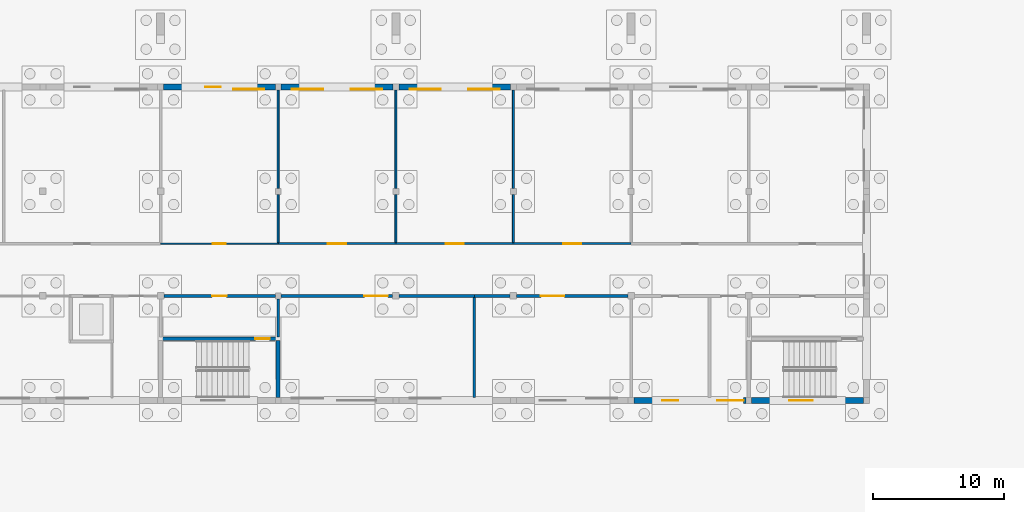
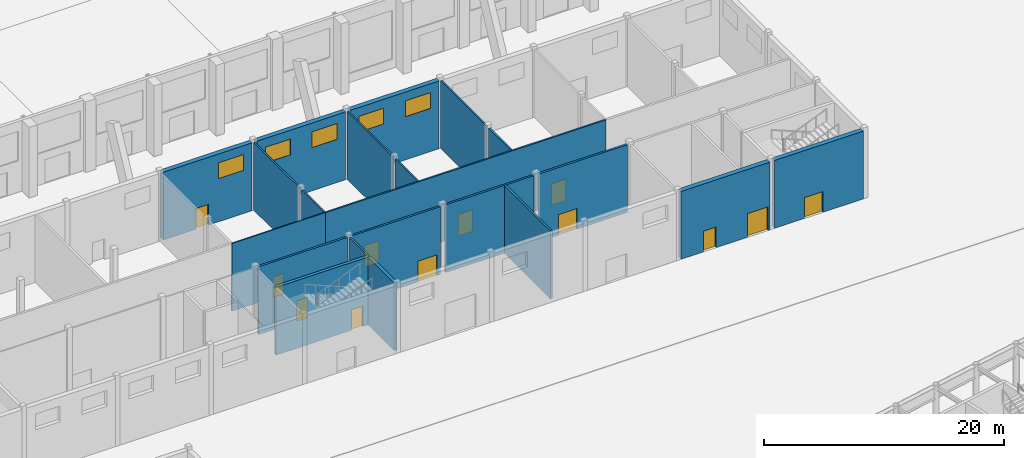
# One storey, part 170 of 239: 22 walls, 12 doors, 5 windows, 17 openings.
"""IFC4 building model written with IfcOpenShell, lengths in metres."""

import ifcopenshell
import ifcopenshell.guid

model = None  # the IFC model being written
_history = None  # IfcOwnerHistory: only IFC2X3 demands one
_inside = {}  # id of a spatial element -> (the spatial element, [elements in it])
_under = {}  # id of a project, library or spatial element -> (it, [spatial elements below it])
_declared = {}  # id of a project -> (the project, [libraries it declares])
_typed = {}  # id of a type object -> (the type object, [elements of that type])
_made_of = {}  # id of a material, layer set ... -> (it, [elements and type objects made of it])


def new_model(schema):
    """Start an empty IFC model of exactly this schema.

    Asked for "IFC4X3", IfcOpenShell would pick the latest addendum, in which some entities
    have other attributes; the version numbers below select the first issue.
    IFC2X3 requires an IfcOwnerHistory on every rooted entity: one is made here for all.
    """
    global model, _history
    if schema == "IFC4X3":
        model = ifcopenshell.file(schema_version=(4, 3, 0, 0))
    else:
        model = ifcopenshell.file(schema=schema)
    _inside.clear()
    _under.clear()
    _declared.clear()
    _typed.clear()
    _made_of.clear()
    _history = None
    if model.schema == "IFC2X3":
        org = make("IfcOrganization", Name="unknown")
        user = make(
            "IfcPersonAndOrganization",
            ThePerson=make("IfcPerson", FamilyName="unknown"),
            TheOrganization=org,
        )
        app = make(
            "IfcApplication",
            ApplicationDeveloper=org,
            Version="unknown",
            ApplicationFullName="unknown",
            ApplicationIdentifier="unknown",
        )
        _history = make(
            "IfcOwnerHistory",
            OwningUser=user,
            OwningApplication=app,
            ChangeAction="ADDED",
            CreationDate=0,
        )
    return model


def make(cls, **values):
    """One entity of the class cls with the attributes given. An attribute that is None is left unset."""
    return model.create_entity(
        cls, **{name: value for name, value in values.items() if value is not None}
    )


def rooted(cls, **values):
    """An entity with a GlobalId (a new one), such as an element, a storey or a relation."""
    return make(cls, GlobalId=ifcopenshell.guid.new(), OwnerHistory=_history, **values)


def si_unit(unit_type, name, prefix=None):
    """IfcSIUnit, for example si_unit("LENGTHUNIT", "METRE", prefix="MILLI")."""
    return make("IfcSIUnit", UnitType=unit_type, Prefix=prefix, Name=name)


def assignment(units):
    """IfcUnitAssignment: the units of a project."""
    return None if units is None else make("IfcUnitAssignment", Units=units)


def point(xyz):
    """IfcCartesianPoint."""
    return None if xyz is None else make("IfcCartesianPoint", Coordinates=xyz)


def direction(xyz):
    """IfcDirection."""
    return None if xyz is None else make("IfcDirection", DirectionRatios=xyz)


def frame(location, z_axis=None, x_axis=None):
    """IfcAxis2Placement3D, a coordinate frame: its origin and axes. An axis left out is left unset."""
    return make(
        "IfcAxis2Placement3D",
        Location=point(location),
        Axis=direction(z_axis),
        RefDirection=direction(x_axis),
    )


def frame_2d(location, x_axis=None):
    """IfcAxis2Placement2D, a coordinate frame in the plane: its origin and x axis."""
    return make(
        "IfcAxis2Placement2D", Location=point(location), RefDirection=direction(x_axis)
    )


def origin():
    """The frame at (0, 0, 0) with its axes left unset."""
    return frame((0.0, 0.0, 0.0))


def place(relative_to, where):
    """IfcLocalPlacement: puts the frame where relative to a parent placement (None: the world)."""
    return make(
        "IfcLocalPlacement", PlacementRelTo=relative_to, RelativePlacement=where
    )


def context(
    kind, dimensions, precision=None, world=None, true_north=None, identifier=None
):
    """IfcGeometricRepresentationContext, for example the 3D "Model" context."""
    return make(
        "IfcGeometricRepresentationContext",
        ContextIdentifier=identifier,
        ContextType=kind,
        CoordinateSpaceDimension=dimensions,
        Precision=precision,
        WorldCoordinateSystem=world,
        TrueNorth=true_north,
    )


def subcontext(parent, identifier, kind, view, scale=None):
    """IfcGeometricRepresentationSubContext, for example "Body" below "Model"."""
    return make(
        "IfcGeometricRepresentationSubContext",
        ContextIdentifier=identifier,
        ContextType=kind,
        ParentContext=parent,
        TargetScale=scale,
        TargetView=view,
    )


def project(units=None, contexts=None):
    """IfcProject with its units and contexts."""
    return rooted(
        "IfcProject",
        Name="project",
        RepresentationContexts=contexts,
        UnitsInContext=assignment(units),
    )


def spatial(cls, under=None, at=None, **own):
    """A site, building, storey or space (cls), placed at a placement, below another one or the project."""
    s = rooted(cls, ObjectPlacement=at, **own)
    if under is not None:
        _under.setdefault(under.id(), (under, []))[1].append(s)
    return s


def profile(cls, at=None, kind="AREA", **sizes):
    """A parametric profile (cls). Its sizes go by their IFC names, for example OverallWidth=200.0."""
    return make(cls, ProfileType=kind, Position=at, **sizes)


def rectangle(**sizes):
    """IfcRectangleProfileDef."""
    return profile("IfcRectangleProfileDef", **sizes)


def extrude(swept, where, along, depth):
    """IfcExtrudedAreaSolid: the profile swept, set in the frame where, extruded along a direction by depth."""
    return make(
        "IfcExtrudedAreaSolid",
        SweptArea=swept,
        Position=where,
        ExtrudedDirection=direction(along),
        Depth=depth,
    )


def shape(context_of_items, identifier, shape_type, items):
    """IfcShapeRepresentation: the items that make up one representation, for example the "Body"."""
    return make(
        "IfcShapeRepresentation",
        ContextOfItems=context_of_items,
        RepresentationIdentifier=identifier,
        RepresentationType=shape_type,
        Items=items,
    )


def material(Name=None, Category=None):
    """IfcMaterial."""
    return make("IfcMaterial", Name=Name, Category=Category)


def layer(
    of_material, thickness, ventilated=None, Name=None, Category=None, Priority=None
):
    """IfcMaterialLayer: one layer of a wall or slab, of a material (None: an air gap)."""
    return make(
        "IfcMaterialLayer",
        Material=of_material,
        LayerThickness=thickness,
        IsVentilated=ventilated,
        Name=Name,
        Category=Category,
        Priority=Priority,
    )


def layer_set(layers, Name=None):
    """IfcMaterialLayerSet."""
    return make("IfcMaterialLayerSet", MaterialLayers=layers, LayerSetName=Name)


def made_of(thing, what):
    """Note that an element or type object is made of a material, layer set ...; save() writes the relation."""
    if what is not None:
        _made_of.setdefault(what.id(), (what, []))[1].append(thing)
    return thing


def type_object(cls, material=None, **own):
    """A type object (cls), such as IfcWallType, which elements share."""
    return made_of(rooted(cls, **own), material)


def element(
    cls,
    number,
    at=None,
    inside=None,
    cuts=None,
    type_object=None,
    material=None,
    context=None,
    identifier="Body",
    shape_type=None,
    held_by="IfcProductDefinitionShape",
    body=None,
    shapes=None,
    **own,
):
    """One element of the class cls, such as IfcWall. Its Tag is "e" and its number.

    at: its placement. inside: the storey or other place that contains it. cuts: it is an
    opening in that element (IfcRelVoidsElement). A single representation is given by context,
    identifier, shape_type and body (its items); several are given by shapes. held_by: the class
    of the entity that holds the representations. save() writes the other relations.
    """
    e = rooted(cls, Tag="e%d" % number, ObjectPlacement=at, **own)
    if body is not None:
        shapes = [shape(context, identifier, shape_type, body)]
    if shapes is not None:
        e.Representation = make(held_by, Representations=shapes)
    if inside is not None:
        _inside.setdefault(inside.id(), (inside, []))[1].append(e)
    if cuts is not None:
        rooted(
            "IfcRelVoidsElement", RelatingBuildingElement=cuts, RelatedOpeningElement=e
        )
    if type_object is not None:
        _typed.setdefault(type_object.id(), (type_object, []))[1].append(e)
    return made_of(e, material)


def fill(opening, filler):
    """IfcRelFillsElement: the door or window that sits in an opening."""
    return rooted(
        "IfcRelFillsElement",
        RelatingOpeningElement=opening,
        RelatedBuildingElement=filler,
    )


def aggregate(whole, parts):
    """IfcRelAggregates: a whole, such as a stair, and the parts it consists of."""
    return rooted("IfcRelAggregates", RelatingObject=whole, RelatedObjects=parts)


def save(model, path):
    """Write the relations noted so far, then the file.

    IfcRelAggregates (storeys below a building ...), IfcRelContainedInSpatialStructure (elements
    in a storey), IfcRelDefinesByType, IfcRelAssociatesMaterial and IfcRelDeclares: one each for
    every whole, place, type object, material and project.
    """
    for whole, parts in _under.values():
        aggregate(whole, parts)
    for where, things in _inside.values():
        rooted(
            "IfcRelContainedInSpatialStructure",
            RelatedElements=things,
            RelatingStructure=where,
        )
    for kind, things in _typed.values():
        rooted("IfcRelDefinesByType", RelatedObjects=things, RelatingType=kind)
    for what, things in _made_of.values():
        rooted("IfcRelAssociatesMaterial", RelatedObjects=things, RelatingMaterial=what)
    for by, libraries in _declared.values():
        rooted("IfcRelDeclares", RelatingContext=by, RelatedDefinitions=libraries)
    model.write(path)


model = new_model("IFC4")

# Units and contexts
model_context = context("Model", 3, precision=1e-05, world=origin(), true_north=direction((0.0, 1.0)))
body_context = subcontext(model_context, "Body", "Model", "MODEL_VIEW")
ifc_project = project(units=[si_unit("LENGTHUNIT", "METRE"), si_unit("AREAUNIT", "SQUARE_METRE"), si_unit("VOLUMEUNIT", "CUBIC_METRE"), si_unit("PLANEANGLEUNIT", "RADIAN"), si_unit("MASSUNIT", "GRAM", prefix="KILO")], contexts=[model_context])

# Site, building, storey
site_placement = place(None, origin())
site = spatial("IfcSite", under=ifc_project, at=site_placement, CompositionType="ELEMENT")
building_placement = place(site_placement, origin())
building = spatial("IfcBuilding", under=site, at=building_placement, Name="Okhra Congress Centre", CompositionType="ELEMENT")
storey_placement = place(building_placement, origin())
storey = spatial("IfcBuildingStorey", under=building, at=storey_placement, Name="L00", CompositionType="ELEMENT", Elevation=0.0)

# Wall, openings, doors
ifc_material_1 = material(Name="Insulated PIR sandwich panel with stainless steel skins", Category="steel")
ifc_layer_1 = layer(ifc_material_1, 0.14990234375)
ifc_layer_set_1 = layer_set([ifc_layer_1], Name="Insulated cold store panel wall 150 EI 45")
wall_type_1 = type_object("IfcWallType", Name="Insulated cold store panel wall 150 EI 45", PredefinedType="PARTITIONING", material=ifc_layer_set_1)
wall_1_placement = place(storey_placement, frame((73.0, 108.0, 0.0), z_axis=(0.0, 0.0, 1.0), x_axis=(1.0, 0.0, 0.0)))
wall_1 = element("IfcWall", 1, at=wall_1_placement, inside=storey, type_object=wall_type_1, Name="SV.WALL.L00.30", PredefinedType="PARTITIONING", context=body_context, shape_type="SweptSolid", body=[
    extrude(rectangle(XDim=27.0, YDim=0.14990234375, at=frame_2d((13.5, 0.0))), origin(), (0.0, 0.0, 1.0), 6.89990234375),
])
opening_1_placement = place(wall_1_placement, frame((3.800048828125, 0.0, 0.0)))
opening_1 = element("IfcOpeningElement", 2, at=opening_1_placement, cuts=wall_1, Name="Opening L00-153", PredefinedType="OPENING", context=body_context, shape_type="SweptSolid", body=[
    extrude(rectangle(XDim=1.39990234375, YDim=2.199951171875, at=frame_2d((0.699951171875, 1.10009765625))), frame((0.0, 0.0849609375, 0.0), z_axis=(0.0, -1.0, 0.0), x_axis=(1.0, 0.0, 0.0)), (0.0, 0.0, 1.0), 0.169921875),
])
opening_2_placement = place(wall_1_placement, frame((12.800048828125, 0.0, 0.0)))
opening_2 = element("IfcOpeningElement", 3, at=opening_2_placement, cuts=wall_1, Name="Opening L00-154", PredefinedType="OPENING", context=body_context, shape_type="SweptSolid", body=[
    extrude(rectangle(XDim=1.39990234375, YDim=2.199951171875, at=frame_2d((0.699951171875, 1.10009765625))), frame((0.0, 0.0849609375, 0.0), z_axis=(0.0, -1.0, 0.0), x_axis=(1.0, 0.0, 0.0)), (0.0, 0.0, 1.0), 0.169921875),
])
opening_3_placement = place(wall_1_placement, frame((21.800048828125, 0.0, 0.0)))
opening_3 = element("IfcOpeningElement", 4, at=opening_3_placement, cuts=wall_1, Name="Opening L00-155", PredefinedType="OPENING", context=body_context, shape_type="SweptSolid", body=[
    extrude(rectangle(XDim=1.39990234375, YDim=2.199951171875, at=frame_2d((0.699951171875, 1.10009765625))), frame((0.0, 0.0849609375, 0.0), z_axis=(0.0, -1.0, 0.0), x_axis=(1.0, 0.0, 0.0)), (0.0, 0.0, 1.0), 0.169921875),
])
ifc_material_2 = material(Name="Insulated stainless steel door leaf with gaskets and heater", Category="steel")
door_type_1 = type_object("IfcDoorType", Name="Insulated cold store door 1400x2200 EI 30", OperationType="NOTDEFINED", PredefinedType="DOOR", material=ifc_material_2)
door_1_placement = place(opening_1_placement, frame((1.39990234375, 0.0, 0.0), z_axis=(0.0, 0.0, 1.0), x_axis=(-1.0, 0.0, 0.0)))
door_1 = element("IfcDoor", 5, at=door_1_placement, inside=storey, type_object=door_type_1, Name="Door L00-153", OperationType="SINGLE_SWING_RIGHT", OverallHeight=2.199951171875, OverallWidth=1.39990234375, PredefinedType="DOOR", context=body_context, shape_type="SweptSolid", body=[
    extrude(rectangle(XDim=1.39990234375, YDim=2.199951171875, at=frame_2d((0.699951171875, 1.10009765625))), frame((0.0, 0.02490234375, 0.0), z_axis=(0.0, -1.0, 0.0), x_axis=(1.0, 0.0, 0.0)), (0.0, 0.0, 1.0), 0.050048828125),
])
fill(opening_1, door_1)
door_2_placement = place(opening_2_placement, frame((1.39990234375, 0.0, 0.0), z_axis=(0.0, 0.0, 1.0), x_axis=(-1.0, 0.0, 0.0)))
door_2 = element("IfcDoor", 6, at=door_2_placement, inside=storey, type_object=door_type_1, Name="Door L00-154", OperationType="SINGLE_SWING_LEFT", OverallHeight=2.199951171875, OverallWidth=1.39990234375, PredefinedType="DOOR", context=body_context, shape_type="SweptSolid", body=[
    extrude(rectangle(XDim=1.39990234375, YDim=2.199951171875, at=frame_2d((0.699951171875, 1.10009765625))), frame((0.0, 0.02490234375, 0.0), z_axis=(0.0, -1.0, 0.0), x_axis=(1.0, 0.0, 0.0)), (0.0, 0.0, 1.0), 0.050048828125),
])
fill(opening_2, door_2)
door_3_placement = place(opening_3_placement, frame((1.39990234375, 0.0, 0.0), z_axis=(0.0, 0.0, 1.0), x_axis=(-1.0, 0.0, 0.0)))
door_3 = element("IfcDoor", 7, at=door_3_placement, inside=storey, type_object=door_type_1, Name="Door L00-155", OperationType="SINGLE_SWING_RIGHT", OverallHeight=2.199951171875, OverallWidth=1.39990234375, PredefinedType="DOOR", context=body_context, shape_type="SweptSolid", body=[
    extrude(rectangle(XDim=1.39990234375, YDim=2.199951171875, at=frame_2d((0.699951171875, 1.10009765625))), frame((0.0, 0.02490234375, 0.0), z_axis=(0.0, -1.0, 0.0), x_axis=(1.0, 0.0, 0.0)), (0.0, 0.0, 1.0), 0.050048828125),
])
fill(opening_3, door_3)

# Walls
wall_2_placement = place(storey_placement, frame((73.0, 108.074951171875, 0.0), z_axis=(0.0, 0.0, 1.0), x_axis=(0.0, 1.0, 0.0)))
element("IfcWall", 8, at=wall_2_placement, inside=storey, type_object=wall_type_1, Name="SV.WALL.L00.57", PredefinedType="PARTITIONING", context=body_context, shape_type="SweptSolid", body=[
    extrude(rectangle(XDim=3.699951171875, YDim=0.14990234375, at=frame_2d((1.85009765625, 0.0))), origin(), (0.0, 0.0, 1.0), 6.89990234375),
])
wall_3_placement = place(storey_placement, frame((73.0, 112.22509765625, 0.0), z_axis=(0.0, 0.0, 1.0), x_axis=(0.0, 1.0, 0.0)))
element("IfcWall", 9, at=wall_3_placement, inside=storey, type_object=wall_type_1, Name="SV.WALL.L00.58", PredefinedType="PARTITIONING", context=body_context, shape_type="SweptSolid", body=[
    extrude(rectangle(XDim=7.5498046875, YDim=0.14990234375, at=frame_2d((3.77490234375, 0.0))), origin(), (0.0, 0.0, 1.0), 6.89990234375),
])
wall_4_placement = place(storey_placement, frame((82.0, 108.074951171875, 0.0), z_axis=(0.0, 0.0, 1.0), x_axis=(0.0, 1.0, 0.0)))
element("IfcWall", 10, at=wall_4_placement, inside=storey, type_object=wall_type_1, Name="SV.WALL.L00.59", PredefinedType="PARTITIONING", context=body_context, shape_type="SweptSolid", body=[
    extrude(rectangle(XDim=3.699951171875, YDim=0.14990234375, at=frame_2d((1.85009765625, 0.0))), origin(), (0.0, 0.0, 1.0), 6.89990234375),
])
wall_5_placement = place(storey_placement, frame((82.0, 112.22509765625, 0.0), z_axis=(0.0, 0.0, 1.0), x_axis=(0.0, 1.0, 0.0)))
element("IfcWall", 11, at=wall_5_placement, inside=storey, type_object=wall_type_1, Name="SV.WALL.L00.60", PredefinedType="PARTITIONING", context=body_context, shape_type="SweptSolid", body=[
    extrude(rectangle(XDim=7.5498046875, YDim=0.14990234375, at=frame_2d((3.77490234375, 0.0))), origin(), (0.0, 0.0, 1.0), 6.89990234375),
])
wall_6_placement = place(storey_placement, frame((91.0, 108.074951171875, 0.0), z_axis=(0.0, 0.0, 1.0), x_axis=(0.0, 1.0, 0.0)))
element("IfcWall", 12, at=wall_6_placement, inside=storey, type_object=wall_type_1, Name="SV.WALL.L00.62", PredefinedType="PARTITIONING", context=body_context, shape_type="SweptSolid", body=[
    extrude(rectangle(XDim=3.699951171875, YDim=0.14990234375, at=frame_2d((1.85009765625, 0.0))), origin(), (0.0, 0.0, 1.0), 6.89990234375),
])
wall_7_placement = place(storey_placement, frame((91.0, 112.22509765625, 0.0), z_axis=(0.0, 0.0, 1.0), x_axis=(0.0, 1.0, 0.0)))
element("IfcWall", 13, at=wall_7_placement, inside=storey, type_object=wall_type_1, Name="SV.WALL.L00.63", PredefinedType="PARTITIONING", context=body_context, shape_type="SweptSolid", body=[
    extrude(rectangle(XDim=7.5498046875, YDim=0.14990234375, at=frame_2d((3.77490234375, 0.0))), origin(), (0.0, 0.0, 1.0), 6.89990234375),
])

# Wall, opening, door
ifc_material_3 = material(Name="Masonry blockwork (aerated concrete D500)", Category="masonry")
ifc_layer_2 = layer(ifc_material_3, 0.199951171875)
ifc_layer_set_2 = layer_set([ifc_layer_2], Name="Masonry block wall 200 EI 45")
wall_type_2 = type_object("IfcWallType", Name="Masonry block wall 200 EI 45", PredefinedType="SOLIDWALL", material=ifc_layer_set_2)
wall_8_placement = place(storey_placement, frame((64.25, 104.0, 0.0), z_axis=(0.0, 0.0, 1.0), x_axis=(1.0, 0.0, 0.0)))
wall_8 = element("IfcWall", 14, at=wall_8_placement, inside=storey, type_object=wall_type_2, Name="SV.WALL.L00.21", PredefinedType="SOLIDWALL", context=body_context, shape_type="SweptSolid", body=[
    extrude(rectangle(XDim=8.52490234375, YDim=0.199951171875, at=frame_2d((4.262451171875, 0.0))), origin(), (0.0, 0.0, 1.0), 6.89990234375),
])
opening_4_placement = place(wall_8_placement, frame((3.699951171875, 0.0, 0.0)))
opening_4 = element("IfcOpeningElement", 15, at=opening_4_placement, cuts=wall_8, Name="Opening L00-137", PredefinedType="OPENING", context=body_context, shape_type="SweptSolid", body=[
    extrude(rectangle(XDim=1.10009765625, YDim=2.10009765625, at=frame_2d((0.550048828125, 1.050048828125))), frame((0.0, 0.10986328125, 0.0), z_axis=(0.0, -1.0, 0.0), x_axis=(1.0, 0.0, 0.0)), (0.0, 0.0, 1.0), 0.219970703125),
])
ifc_material_4 = material(Name="Steel fire door leaf in steel frame, intumescent seals", Category="steel")
door_type_2 = type_object("IfcDoorType", Name="Steel fire door 1100x2100 EI 30", OperationType="NOTDEFINED", PredefinedType="DOOR", material=ifc_material_4)
door_4_placement = place(opening_4_placement, frame((1.10009765625, 0.0, 0.0), z_axis=(0.0, 0.0, 1.0), x_axis=(-1.0, 0.0, 0.0)))
door_4 = element("IfcDoor", 16, at=door_4_placement, inside=storey, type_object=door_type_2, Name="Stair B lobby door", OperationType="SINGLE_SWING_RIGHT", OverallHeight=2.10009765625, OverallWidth=1.10009765625, PredefinedType="DOOR", context=body_context, shape_type="SweptSolid", body=[
    extrude(rectangle(XDim=1.10009765625, YDim=2.10009765625, at=frame_2d((0.550048828125, 1.050048828125))), frame((0.0, 0.02490234375, 0.0), z_axis=(0.0, -1.0, 0.0), x_axis=(1.0, 0.0, 0.0)), (0.0, 0.0, 1.0), 0.050048828125),
])
fill(opening_4, door_4)

wall_9_placement = place(storey_placement, frame((73.22509765625, 104.0, 0.0), z_axis=(0.0, 0.0, 1.0), x_axis=(1.0, 0.0, 0.0)))
wall_9 = element("IfcWall", 17, at=wall_9_placement, inside=storey, type_object=wall_type_2, Name="SV.WALL.L00.22", PredefinedType="SOLIDWALL", context=body_context, shape_type="SweptSolid", body=[
    extrude(rectangle(XDim=8.52490234375, YDim=0.199951171875, at=frame_2d((4.262451171875, 0.0))), origin(), (0.0, 0.0, 1.0), 6.89990234375),
])
opening_5_placement = place(wall_9_placement, frame((6.375, 0.0, 0.0)))
opening_5 = element("IfcOpeningElement", 18, at=opening_5_placement, cuts=wall_9, Name="Opening L00-146", PredefinedType="OPENING", context=body_context, shape_type="SweptSolid", body=[
    extrude(rectangle(XDim=1.800048828125, YDim=2.10009765625, at=frame_2d((0.89990234375, 1.050048828125))), frame((0.0, 0.10986328125, 0.0), z_axis=(0.0, -1.0, 0.0), x_axis=(1.0, 0.0, 0.0)), (0.0, 0.0, 1.0), 0.219970703125),
])
ifc_material_5 = material(Name="Steel fire door leaves in steel frame, intumescent seals", Category="steel")
door_type_3 = type_object("IfcDoorType", Name="Steel fire door pair 1800x2100 EI 30", OperationType="NOTDEFINED", PredefinedType="DOOR", material=ifc_material_5)
door_5_placement = place(opening_5_placement, origin())
door_5 = element("IfcDoor", 19, at=door_5_placement, inside=storey, type_object=door_type_3, Name="Door L00-146", OperationType="DOUBLE_DOOR_SINGLE_SWING", OverallHeight=2.10009765625, OverallWidth=1.800048828125, PredefinedType="DOOR", context=body_context, shape_type="SweptSolid", body=[
    extrude(rectangle(XDim=1.800048828125, YDim=2.10009765625, at=frame_2d((0.89990234375, 1.050048828125))), frame((0.0, 0.02490234375, 0.0), z_axis=(0.0, -1.0, 0.0), x_axis=(1.0, 0.0, 0.0)), (0.0, 0.0, 1.0), 0.050048828125),
])
fill(opening_5, door_5)

# Walls
wall_10_placement = place(storey_placement, frame((82.25, 104.0, 0.0), z_axis=(0.0, 0.0, 1.0), x_axis=(1.0, 0.0, 0.0)))
element("IfcWall", 20, at=wall_10_placement, inside=storey, type_object=wall_type_2, Name="SV.WALL.L00.23", PredefinedType="SOLIDWALL", context=body_context, shape_type="SweptSolid", body=[
    extrude(rectangle(XDim=5.75, YDim=0.199951171875, at=frame_2d((2.875, 0.0))), origin(), (0.0, 0.0, 1.0), 6.89990234375),
])
wall_11_placement = place(storey_placement, frame((88.0, 104.0, 0.0), z_axis=(0.0, 0.0, 1.0), x_axis=(1.0, 0.0, 0.0)))
element("IfcWall", 21, at=wall_11_placement, inside=storey, type_object=wall_type_2, Name="SV.WALL.L00.24", PredefinedType="SOLIDWALL", context=body_context, shape_type="SweptSolid", body=[
    extrude(rectangle(XDim=2.75, YDim=0.199951171875, at=frame_2d((1.375, 0.0))), origin(), (0.0, 0.0, 1.0), 6.89990234375),
])

# Wall, opening, door
wall_12_placement = place(storey_placement, frame((91.25, 104.0, 0.0), z_axis=(0.0, 0.0, 1.0), x_axis=(1.0, 0.0, 0.0)))
wall_12 = element("IfcWall", 22, at=wall_12_placement, inside=storey, type_object=wall_type_2, Name="SV.WALL.L00.25", PredefinedType="SOLIDWALL", context=body_context, shape_type="SweptSolid", body=[
    extrude(rectangle(XDim=8.5, YDim=0.199951171875, at=frame_2d((4.25, 0.0))), origin(), (0.0, 0.0, 1.0), 6.89990234375),
])
opening_6_placement = place(wall_12_placement, frame((1.85009765625, 0.0, 0.0)))
opening_6 = element("IfcOpeningElement", 23, at=opening_6_placement, cuts=wall_12, Name="Opening L00-147", PredefinedType="OPENING", context=body_context, shape_type="SweptSolid", body=[
    extrude(rectangle(XDim=1.800048828125, YDim=2.10009765625, at=frame_2d((0.89990234375, 1.050048828125))), frame((0.0, 0.10986328125, 0.0), z_axis=(0.0, -1.0, 0.0), x_axis=(1.0, 0.0, 0.0)), (0.0, 0.0, 1.0), 0.219970703125),
])
door_6_placement = place(opening_6_placement, origin())
door_6 = element("IfcDoor", 24, at=door_6_placement, inside=storey, type_object=door_type_3, Name="Door L00-147", OperationType="DOUBLE_DOOR_SINGLE_SWING", OverallHeight=2.10009765625, OverallWidth=1.800048828125, PredefinedType="DOOR", context=body_context, shape_type="SweptSolid", body=[
    extrude(rectangle(XDim=1.800048828125, YDim=2.10009765625, at=frame_2d((0.89990234375, 1.050048828125))), frame((0.0, 0.02490234375, 0.0), z_axis=(0.0, -1.0, 0.0), x_axis=(1.0, 0.0, 0.0)), (0.0, 0.0, 1.0), 0.050048828125),
])
fill(opening_6, door_6)

# Walls
wall_13_placement = place(storey_placement, frame((73.0, 100.875, 0.0), z_axis=(0.0, 0.0, 1.0), x_axis=(0.0, 1.0, 0.0)))
element("IfcWall", 25, at=wall_13_placement, inside=storey, type_object=wall_type_2, Name="SV.WALL.L00.56", PredefinedType="SOLIDWALL", context=body_context, shape_type="SweptSolid", body=[
    extrude(rectangle(XDim=2.89990234375, YDim=0.199951171875, at=frame_2d((1.449951171875, 0.0))), origin(), (0.0, 0.0, 1.0), 6.89990234375),
])
wall_14_placement = place(storey_placement, frame((88.0, 96.22509765625, 0.0), z_axis=(0.0, 0.0, 1.0), x_axis=(0.0, 1.0, 0.0)))
element("IfcWall", 26, at=wall_14_placement, inside=storey, type_object=wall_type_2, Name="SV.WALL.L00.61", PredefinedType="SOLIDWALL", context=body_context, shape_type="SweptSolid", body=[
    extrude(rectangle(XDim=7.6748046875, YDim=0.199951171875, at=frame_2d((3.83740234375, 0.0))), origin(), (0.0, 0.0, 1.0), 6.89990234375),
])

# Wall, opening, door
ifc_material_6 = material(Name="Gypsum board on steel studs", Category="steel")
ifc_layer_3 = layer(ifc_material_6, 0.10009765625)
ifc_layer_set_3 = layer_set([ifc_layer_3], Name="Partition 100 EI 15")
wall_type_3 = type_object("IfcWallType", Name="Partition 100 EI 15", PredefinedType="PARTITIONING", material=ifc_layer_set_3)
wall_15_placement = place(storey_placement, frame((64.0, 108.0, 0.0), z_axis=(0.0, 0.0, 1.0), x_axis=(1.0, 0.0, 0.0)))
wall_15 = element("IfcWall", 27, at=wall_15_placement, inside=storey, type_object=wall_type_3, Name="SV.WALL.L00.29", PredefinedType="PARTITIONING", context=body_context, shape_type="SweptSolid", body=[
    extrude(rectangle(XDim=9.0, YDim=0.10009765625, at=frame_2d((4.5, 0.0))), origin(), (0.0, 0.0, 1.0), 6.89990234375),
])
opening_7_placement = place(wall_15_placement, frame((4.0, 0.0, 0.0)))
opening_7 = element("IfcOpeningElement", 28, at=opening_7_placement, cuts=wall_15, Name="Opening L00-152", PredefinedType="OPENING", context=body_context, shape_type="SweptSolid", body=[
    extrude(rectangle(XDim=1.0, YDim=2.10009765625, at=frame_2d((0.5, 1.050048828125))), frame((0.0, 0.06005859375, 0.0), z_axis=(0.0, -1.0, 0.0), x_axis=(1.0, 0.0, 0.0)), (0.0, 0.0, 1.0), 0.1201171875),
])
ifc_material_7 = material(Name="Timber door leaf in steel frame", Category="steel")
door_type_4 = type_object("IfcDoorType", Name="Single swing door 1000x2100", OperationType="NOTDEFINED", PredefinedType="DOOR", material=ifc_material_7)
door_7_placement = place(opening_7_placement, frame((1.0, 0.0, 0.0), z_axis=(0.0, 0.0, 1.0), x_axis=(-1.0, 0.0, 0.0)))
door_7 = element("IfcDoor", 29, at=door_7_placement, inside=storey, type_object=door_type_4, Name="Door L00-152", OperationType="SINGLE_SWING_LEFT", OverallHeight=2.10009765625, OverallWidth=1.0, PredefinedType="DOOR", context=body_context, shape_type="SweptSolid", body=[
    extrude(rectangle(XDim=1.0, YDim=2.10009765625, at=frame_2d((0.5, 1.050048828125))), frame((0.0, 0.02490234375, 0.0), z_axis=(0.0, -1.0, 0.0), x_axis=(1.0, 0.0, 0.0)), (0.0, 0.0, 1.0), 0.050048828125),
])
fill(opening_7, door_7)

ifc_material_8 = material(Name="Concrete C35/45", Category="concrete")
ifc_layer_4 = layer(ifc_material_8, 0.300048828125)
ifc_layer_set_4 = layer_set([ifc_layer_4], Name="RC core wall 300 REI 120 C35/45")
wall_type_4 = type_object("IfcWallType", Name="RC core wall 300 REI 120 C35/45", PredefinedType="SHEAR", material=ifc_layer_set_4)
wall_16_placement = place(storey_placement, frame((64.0, 100.72509765625, 0.0), z_axis=(0.0, 0.0, 1.0), x_axis=(1.0, 0.0, 0.0)))
wall_16 = element("IfcWall", 30, at=wall_16_placement, inside=storey, type_object=wall_type_4, Name="SV.WALL.L00.13", PredefinedType="SHEAR", context=body_context, shape_type="SweptSolid", body=[
    extrude(rectangle(XDim=9.0, YDim=0.300048828125, at=frame_2d((4.5, 0.0))), origin(), (0.0, 0.0, 1.0), 6.89990234375),
])
opening_8_placement = place(wall_16_placement, frame((7.25, 0.0, 0.0)))
opening_8 = element("IfcOpeningElement", 31, at=opening_8_placement, cuts=wall_16, Name="Opening L00-138", PredefinedType="OPENING", context=body_context, shape_type="SweptSolid", body=[
    extrude(rectangle(XDim=1.10009765625, YDim=2.10009765625, at=frame_2d((0.550048828125, 1.050048828125))), frame((0.0, 0.159912109375, 0.0), z_axis=(0.0, -1.0, 0.0), x_axis=(1.0, 0.0, 0.0)), (0.0, 0.0, 1.0), 0.320068359375),
])
door_8_placement = place(opening_8_placement, frame((1.10009765625, 0.0, 0.0), z_axis=(0.0, 0.0, 1.0), x_axis=(-1.0, 0.0, 0.0)))
door_8 = element("IfcDoor", 32, at=door_8_placement, inside=storey, type_object=door_type_2, Name="Door L00-138", OperationType="SINGLE_SWING_LEFT", OverallHeight=2.10009765625, OverallWidth=1.10009765625, PredefinedType="DOOR", context=body_context, shape_type="SweptSolid", body=[
    extrude(rectangle(XDim=1.10009765625, YDim=2.10009765625, at=frame_2d((0.550048828125, 1.050048828125))), frame((0.0, 0.02490234375, 0.0), z_axis=(0.0, -1.0, 0.0), x_axis=(1.0, 0.0, 0.0)), (0.0, 0.0, 1.0), 0.050048828125),
])
fill(opening_8, door_8)

# Wall
wall_17_placement = place(storey_placement, frame((73.0, 96.22509765625, 0.0), z_axis=(0.0, 0.0, 1.0), x_axis=(0.0, 1.0, 0.0)))
element("IfcWall", 33, at=wall_17_placement, inside=storey, type_object=wall_type_4, Name="SV.WALL.L00.55", PredefinedType="SHEAR", context=body_context, shape_type="SweptSolid", body=[
    extrude(rectangle(XDim=4.349853515625, YDim=0.300048828125, at=frame_2d((2.1748046875, 0.0))), origin(), (0.0, 0.0, 1.0), 6.89990234375),
])

# Wall, opening, door
ifc_material_9 = material(Name="Concrete C30/37", Category="concrete")
ifc_layer_5 = layer(ifc_material_9, 0.449951171875)
ifc_layer_set_5 = layer_set([ifc_layer_5], Name="RC facade wall 450 REI 120 C30/37")
wall_type_5 = type_object("IfcWallType", Name="RC facade wall 450 REI 120 C30/37", PredefinedType="SOLIDWALL", material=ifc_layer_set_5)
wall_18_placement = place(storey_placement, frame((109.22509765625, 96.0, 0.0), z_axis=(0.0, 0.0, 1.0), x_axis=(1.0, 0.0, 0.0)))
wall_18 = element("IfcWall", 34, at=wall_18_placement, inside=storey, type_object=wall_type_5, Name="SV.WALL.L00.10", PredefinedType="SOLIDWALL", context=body_context, shape_type="SweptSolid", body=[
    extrude(rectangle(XDim=8.5498046875, YDim=0.449951171875, at=frame_2d((4.27490234375, 0.0))), origin(), (0.0, 0.0, 1.0), 6.89990234375),
])
opening_9_placement = place(wall_18_placement, frame((2.875, 0.0, 0.0)))
opening_9 = element("IfcOpeningElement", 35, at=opening_9_placement, cuts=wall_18, Name="Opening L00-143", PredefinedType="OPENING", context=body_context, shape_type="SweptSolid", body=[
    extrude(rectangle(XDim=1.800048828125, YDim=2.10009765625, at=frame_2d((0.89990234375, 1.050048828125))), frame((0.0, 0.23486328125, 0.0), z_axis=(0.0, -1.0, 0.0), x_axis=(1.0, 0.0, 0.0)), (0.0, 0.0, 1.0), 0.469970703125),
])
door_9_placement = place(opening_9_placement, frame((1.800048828125, 0.0, 0.0), z_axis=(0.0, 0.0, 1.0), x_axis=(-1.0, 0.0, 0.0)))
door_9 = element("IfcDoor", 36, at=door_9_placement, inside=storey, type_object=door_type_3, Name="Door L00-143", OperationType="DOUBLE_DOOR_SINGLE_SWING", OverallHeight=2.10009765625, OverallWidth=1.800048828125, PredefinedType="DOOR", context=body_context, shape_type="SweptSolid", body=[
    extrude(rectangle(XDim=1.800048828125, YDim=2.10009765625, at=frame_2d((0.89990234375, 1.050048828125))), frame((0.0, 0.02490234375, 0.0), z_axis=(0.0, -1.0, 0.0), x_axis=(1.0, 0.0, 0.0)), (0.0, 0.0, 1.0), 0.050048828125),
])
fill(opening_9, door_9)

# Wall, openings, window, door
ifc_material_10 = material(Name="Render on mineral wool insulation over masonry backing", Category="masonry")
ifc_layer_6 = layer(ifc_material_10, 0.449951171875)
ifc_layer_set_6 = layer_set([ifc_layer_6], Name="Rendered insulated wall 450")
wall_type_6 = type_object("IfcWallType", Name="Rendered insulated wall 450", PredefinedType="SOLIDWALL", material=ifc_layer_set_6)
wall_19_placement = place(storey_placement, frame((72.77490234375, 120.0, 0.0), z_axis=(0.0, 0.0, 1.0), x_axis=(-1.0, 0.0, 0.0)))
wall_19 = element("IfcWall", 37, at=wall_19_placement, inside=storey, type_object=wall_type_6, Name="SV.WALL.L00.36", PredefinedType="SOLIDWALL", context=body_context, shape_type="SweptSolid", body=[
    extrude(rectangle(XDim=8.5498046875, YDim=0.449951171875, at=frame_2d((4.27490234375, 0.0))), origin(), (0.0, 0.0, 1.0), 6.89990234375),
])
opening_10_placement = place(wall_19_placement, frame((4.175048828125, 0.0, 0.0)))
opening_10 = element("IfcOpeningElement", 38, at=opening_10_placement, cuts=wall_19, Name="Opening L00-166", PredefinedType="OPENING", context=body_context, shape_type="SweptSolid", body=[
    extrude(rectangle(XDim=1.199951171875, YDim=2.10009765625, at=frame_2d((0.60009765625, 1.050048828125))), frame((0.0, 0.23486328125, 0.0), z_axis=(0.0, -1.0, 0.0), x_axis=(1.0, 0.0, 0.0)), (0.0, 0.0, 1.0), 0.469970703125),
])
opening_11_placement = place(wall_19_placement, frame((0.824951171875, 0.0, 4.39990234375)))
opening_11 = element("IfcOpeningElement", 39, at=opening_11_placement, cuts=wall_19, Name="Opening WN14", PredefinedType="OPENING", context=body_context, shape_type="SweptSolid", body=[
    extrude(rectangle(XDim=2.39990234375, YDim=1.60009765625, at=frame_2d((1.199951171875, 0.800048828125))), frame((0.0, 0.23486328125, 0.0), z_axis=(0.0, -1.0, 0.0), x_axis=(1.0, 0.0, 0.0)), (0.0, 0.0, 1.0), 0.469970703125),
])
ifc_material_11 = material(Name="Thermally broken aluminium frame, triple glazing", Category="aluminium")
window_type = type_object("IfcWindowType", Name="Fixed window 2400x1600", PartitioningType="SINGLE_PANEL", PredefinedType="WINDOW", material=ifc_material_11)
window_1_placement = place(opening_11_placement, origin())
window_1 = element("IfcWindow", 40, at=window_1_placement, inside=storey, type_object=window_type, Name="SV.WIN.L00.14", OverallHeight=1.60009765625, OverallWidth=2.39990234375, PartitioningType="SINGLE_PANEL", PredefinedType="WINDOW", context=body_context, shape_type="SweptSolid", body=[
    extrude(rectangle(XDim=2.39990234375, YDim=1.60009765625, at=frame_2d((1.199951171875, 0.800048828125))), frame((0.0, 0.215087890625, 0.0), z_axis=(0.0, -1.0, 0.0), x_axis=(1.0, 0.0, 0.0)), (0.0, 0.0, 1.0), 0.06005859375),
])
fill(opening_11, window_1)
door_type_5 = type_object("IfcDoorType", Name="Single swing door 1200x2100", OperationType="NOTDEFINED", PredefinedType="DOOR", material=ifc_material_7)
door_10_placement = place(opening_10_placement, frame((1.199951171875, 0.0, 0.0), z_axis=(0.0, 0.0, 1.0), x_axis=(-1.0, 0.0, 0.0)))
door_10 = element("IfcDoor", 41, at=door_10_placement, inside=storey, type_object=door_type_5, Name="Door L00-166", OperationType="SINGLE_SWING_LEFT", OverallHeight=2.10009765625, OverallWidth=1.199951171875, PredefinedType="DOOR", context=body_context, shape_type="SweptSolid", body=[
    extrude(rectangle(XDim=1.199951171875, YDim=2.10009765625, at=frame_2d((0.60009765625, 1.050048828125))), frame((0.0, 0.02490234375, 0.0), z_axis=(0.0, -1.0, 0.0), x_axis=(1.0, 0.0, 0.0)), (0.0, 0.0, 1.0), 0.050048828125),
])
fill(opening_10, door_10)

# Wall, openings, doors
ifc_layer_7 = layer(ifc_material_10, 0.449951171875)
ifc_layer_set_7 = layer_set([ifc_layer_7], Name="Rendered insulated wall 450 EI 45")
wall_type_7 = type_object("IfcWallType", Name="Rendered insulated wall 450 EI 45", PredefinedType="SOLIDWALL", material=ifc_layer_set_7)
wall_20_placement = place(storey_placement, frame((100.22509765625, 96.0, 0.0), z_axis=(0.0, 0.0, 1.0), x_axis=(1.0, 0.0, 0.0)))
wall_20 = element("IfcWall", 42, at=wall_20_placement, inside=storey, type_object=wall_type_7, Name="SV.WALL.L00.9", PredefinedType="SOLIDWALL", context=body_context, shape_type="SweptSolid", body=[
    extrude(rectangle(XDim=8.5498046875, YDim=0.449951171875, at=frame_2d((4.27490234375, 0.0))), origin(), (0.0, 0.0, 1.0), 6.89990234375),
])
opening_12_placement = place(wall_20_placement, frame((2.175048828125, 0.0, 0.0)))
opening_12 = element("IfcOpeningElement", 43, at=opening_12_placement, cuts=wall_20, Name="Opening L00-160", PredefinedType="OPENING", context=body_context, shape_type="SweptSolid", body=[
    extrude(rectangle(XDim=1.199951171875, YDim=2.10009765625, at=frame_2d((0.60009765625, 1.050048828125))), frame((0.0, 0.23486328125, 0.0), z_axis=(0.0, -1.0, 0.0), x_axis=(1.0, 0.0, 0.0)), (0.0, 0.0, 1.0), 0.469970703125),
])
opening_13_placement = place(wall_20_placement, frame((6.375, 0.0, 0.0)))
opening_13 = element("IfcOpeningElement", 44, at=opening_13_placement, cuts=wall_20, Name="Opening L00-161", PredefinedType="OPENING", context=body_context, shape_type="SweptSolid", body=[
    extrude(rectangle(XDim=2.0, YDim=2.39990234375, at=frame_2d((1.0, 1.199951171875))), frame((0.0, 0.23486328125, 0.0), z_axis=(0.0, -1.0, 0.0), x_axis=(1.0, 0.0, 0.0)), (0.0, 0.0, 1.0), 0.469970703125),
])
door_type_6 = type_object("IfcDoorType", Name="Steel fire door 1200x2100 EI 30", OperationType="NOTDEFINED", PredefinedType="DOOR", material=ifc_material_4)
door_11_placement = place(opening_12_placement, frame((1.199951171875, 0.0, 0.0), z_axis=(0.0, 0.0, 1.0), x_axis=(-1.0, 0.0, 0.0)))
door_11 = element("IfcDoor", 45, at=door_11_placement, inside=storey, type_object=door_type_6, Name="Door L00-160", OperationType="SINGLE_SWING_LEFT", OverallHeight=2.10009765625, OverallWidth=1.199951171875, PredefinedType="DOOR", context=body_context, shape_type="SweptSolid", body=[
    extrude(rectangle(XDim=1.199951171875, YDim=2.10009765625, at=frame_2d((0.60009765625, 1.050048828125))), frame((0.0, 0.02490234375, 0.0), z_axis=(0.0, -1.0, 0.0), x_axis=(1.0, 0.0, 0.0)), (0.0, 0.0, 1.0), 0.050048828125),
])
fill(opening_12, door_11)
door_type_7 = type_object("IfcDoorType", Name="Steel fire door pair 2000x2400 EI 30", OperationType="NOTDEFINED", PredefinedType="DOOR", material=ifc_material_5)
door_12_placement = place(opening_13_placement, frame((2.0, 0.0, 0.0), z_axis=(0.0, 0.0, 1.0), x_axis=(-1.0, 0.0, 0.0)))
door_12 = element("IfcDoor", 46, at=door_12_placement, inside=storey, type_object=door_type_7, Name="Door L00-161", OperationType="DOUBLE_DOOR_SINGLE_SWING", OverallHeight=2.39990234375, OverallWidth=2.0, PredefinedType="DOOR", context=body_context, shape_type="SweptSolid", body=[
    extrude(rectangle(XDim=2.0, YDim=2.39990234375, at=frame_2d((1.0, 1.199951171875))), frame((0.0, 0.02490234375, 0.0), z_axis=(0.0, -1.0, 0.0), x_axis=(1.0, 0.0, 0.0)), (0.0, 0.0, 1.0), 0.050048828125),
])
fill(opening_13, door_12)

# Wall, openings, windows
wall_21_placement = place(storey_placement, frame((81.77490234375, 120.0, 0.0), z_axis=(0.0, 0.0, 1.0), x_axis=(-1.0, 0.0, 0.0)))
wall_21 = element("IfcWall", 47, at=wall_21_placement, inside=storey, type_object=wall_type_7, Name="SV.WALL.L00.37", PredefinedType="SOLIDWALL", context=body_context, shape_type="SweptSolid", body=[
    extrude(rectangle(XDim=8.5498046875, YDim=0.449951171875, at=frame_2d((4.27490234375, 0.0))), origin(), (0.0, 0.0, 1.0), 6.89990234375),
])
opening_14_placement = place(wall_21_placement, frame((5.324951171875, 0.0, 4.39990234375)))
opening_14 = element("IfcOpeningElement", 48, at=opening_14_placement, cuts=wall_21, Name="Opening WN14", PredefinedType="OPENING", context=body_context, shape_type="SweptSolid", body=[
    extrude(rectangle(XDim=2.39990234375, YDim=1.60009765625, at=frame_2d((1.199951171875, 0.800048828125))), frame((0.0, 0.23486328125, 0.0), z_axis=(0.0, -1.0, 0.0), x_axis=(1.0, 0.0, 0.0)), (0.0, 0.0, 1.0), 0.469970703125),
])
opening_15_placement = place(wall_21_placement, frame((0.824951171875, 0.0, 4.39990234375)))
opening_15 = element("IfcOpeningElement", 49, at=opening_15_placement, cuts=wall_21, Name="Opening WN14", PredefinedType="OPENING", context=body_context, shape_type="SweptSolid", body=[
    extrude(rectangle(XDim=2.39990234375, YDim=1.60009765625, at=frame_2d((1.199951171875, 0.800048828125))), frame((0.0, 0.23486328125, 0.0), z_axis=(0.0, -1.0, 0.0), x_axis=(1.0, 0.0, 0.0)), (0.0, 0.0, 1.0), 0.469970703125),
])
window_2_placement = place(opening_14_placement, origin())
window_2 = element("IfcWindow", 50, at=window_2_placement, inside=storey, type_object=window_type, Name="SV.WIN.L00.15", OverallHeight=1.60009765625, OverallWidth=2.39990234375, PartitioningType="SINGLE_PANEL", PredefinedType="WINDOW", context=body_context, shape_type="SweptSolid", body=[
    extrude(rectangle(XDim=2.39990234375, YDim=1.60009765625, at=frame_2d((1.199951171875, 0.800048828125))), frame((0.0, 0.215087890625, 0.0), z_axis=(0.0, -1.0, 0.0), x_axis=(1.0, 0.0, 0.0)), (0.0, 0.0, 1.0), 0.06005859375),
])
fill(opening_14, window_2)
window_3_placement = place(opening_15_placement, origin())
window_3 = element("IfcWindow", 51, at=window_3_placement, inside=storey, type_object=window_type, Name="SV.WIN.L00.16", OverallHeight=1.60009765625, OverallWidth=2.39990234375, PartitioningType="SINGLE_PANEL", PredefinedType="WINDOW", context=body_context, shape_type="SweptSolid", body=[
    extrude(rectangle(XDim=2.39990234375, YDim=1.60009765625, at=frame_2d((1.199951171875, 0.800048828125))), frame((0.0, 0.215087890625, 0.0), z_axis=(0.0, -1.0, 0.0), x_axis=(1.0, 0.0, 0.0)), (0.0, 0.0, 1.0), 0.06005859375),
])
fill(opening_15, window_3)

wall_22_placement = place(storey_placement, frame((90.77490234375, 120.0, 0.0), z_axis=(0.0, 0.0, 1.0), x_axis=(-1.0, 0.0, 0.0)))
wall_22 = element("IfcWall", 52, at=wall_22_placement, inside=storey, type_object=wall_type_7, Name="SV.WALL.L00.38", PredefinedType="SOLIDWALL", context=body_context, shape_type="SweptSolid", body=[
    extrude(rectangle(XDim=8.5498046875, YDim=0.449951171875, at=frame_2d((4.27490234375, 0.0))), origin(), (0.0, 0.0, 1.0), 6.89990234375),
])
opening_16_placement = place(wall_22_placement, frame((5.324951171875, 0.0, 4.39990234375)))
opening_16 = element("IfcOpeningElement", 53, at=opening_16_placement, cuts=wall_22, Name="Opening WN14", PredefinedType="OPENING", context=body_context, shape_type="SweptSolid", body=[
    extrude(rectangle(XDim=2.39990234375, YDim=1.60009765625, at=frame_2d((1.199951171875, 0.800048828125))), frame((0.0, 0.23486328125, 0.0), z_axis=(0.0, -1.0, 0.0), x_axis=(1.0, 0.0, 0.0)), (0.0, 0.0, 1.0), 0.469970703125),
])
opening_17_placement = place(wall_22_placement, frame((0.824951171875, 0.0, 4.39990234375)))
opening_17 = element("IfcOpeningElement", 54, at=opening_17_placement, cuts=wall_22, Name="Opening WN14", PredefinedType="OPENING", context=body_context, shape_type="SweptSolid", body=[
    extrude(rectangle(XDim=2.39990234375, YDim=1.60009765625, at=frame_2d((1.199951171875, 0.800048828125))), frame((0.0, 0.23486328125, 0.0), z_axis=(0.0, -1.0, 0.0), x_axis=(1.0, 0.0, 0.0)), (0.0, 0.0, 1.0), 0.469970703125),
])
window_4_placement = place(opening_16_placement, origin())
window_4 = element("IfcWindow", 55, at=window_4_placement, inside=storey, type_object=window_type, Name="SV.WIN.L00.17", OverallHeight=1.60009765625, OverallWidth=2.39990234375, PartitioningType="SINGLE_PANEL", PredefinedType="WINDOW", context=body_context, shape_type="SweptSolid", body=[
    extrude(rectangle(XDim=2.39990234375, YDim=1.60009765625, at=frame_2d((1.199951171875, 0.800048828125))), frame((0.0, 0.215087890625, 0.0), z_axis=(0.0, -1.0, 0.0), x_axis=(1.0, 0.0, 0.0)), (0.0, 0.0, 1.0), 0.06005859375),
])
fill(opening_16, window_4)
window_5_placement = place(opening_17_placement, origin())
window_5 = element("IfcWindow", 56, at=window_5_placement, inside=storey, type_object=window_type, Name="SV.WIN.L00.18", OverallHeight=1.60009765625, OverallWidth=2.39990234375, PartitioningType="SINGLE_PANEL", PredefinedType="WINDOW", context=body_context, shape_type="SweptSolid", body=[
    extrude(rectangle(XDim=2.39990234375, YDim=1.60009765625, at=frame_2d((1.199951171875, 0.800048828125))), frame((0.0, 0.215087890625, 0.0), z_axis=(0.0, -1.0, 0.0), x_axis=(1.0, 0.0, 0.0)), (0.0, 0.0, 1.0), 0.06005859375),
])
fill(opening_17, window_5)

save(model, "model.ifc")
